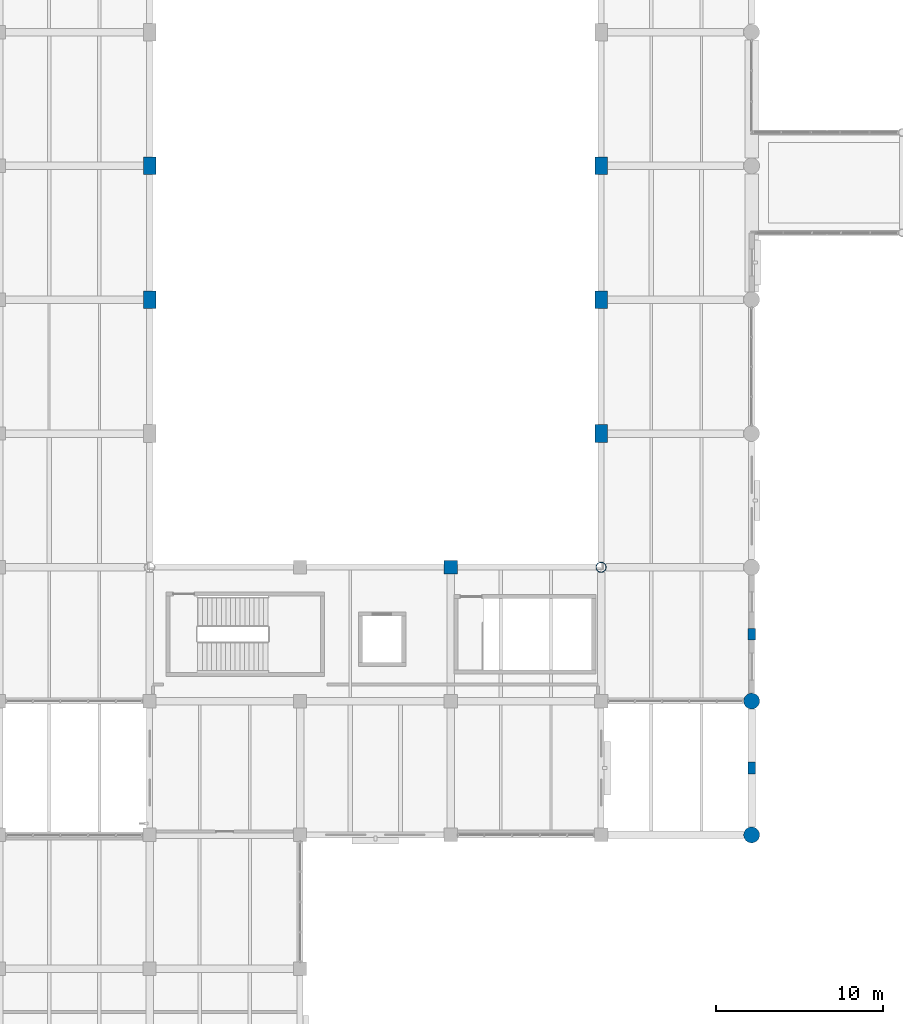
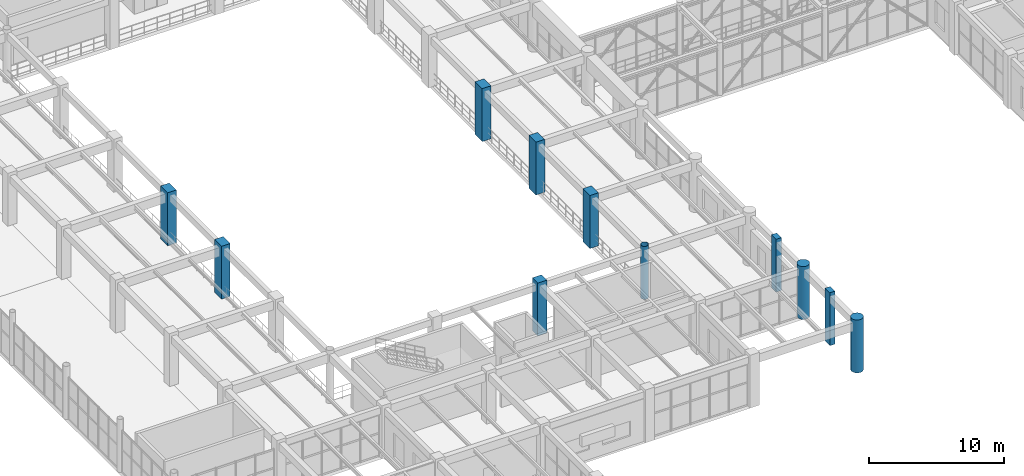
# One storey, part 4 of 178: 11 columns.
"""IFC4 building model written with IfcOpenShell, lengths in metres."""

from ifc_helpers import new_model, si_unit, derived_unit, direction, frame, origin, origin_2d, place, context, subcontext, project, spatial, rectangle, circle, hollow_circle, extrude, material, material_profile, profile_set, type_object, element, save


model = new_model("IFC4")

# Units and contexts
model_context = context("Model", 3, precision=1e-05, world=origin(), true_north=direction((0.0, 1.0)))
body_context = subcontext(model_context, "Body", "Model", "MODEL_VIEW")
ifc_project = project(units=[si_unit("LENGTHUNIT", "METRE"), si_unit("AREAUNIT", "SQUARE_METRE"), si_unit("VOLUMEUNIT", "CUBIC_METRE"), si_unit("PLANEANGLEUNIT", "RADIAN"), si_unit("MASSUNIT", "GRAM", prefix="KILO"), derived_unit("THERMALTRANSMITTANCEUNIT", [(si_unit("MASSUNIT", "GRAM", prefix="KILO"), 1), (si_unit("TIMEUNIT", "SECOND"), -3), (si_unit("THERMODYNAMICTEMPERATUREUNIT", "KELVIN"), -1)])], contexts=[model_context])

# Site, building, storey
site_placement = place(None, origin())
site = spatial("IfcSite", under=ifc_project, at=site_placement, CompositionType="ELEMENT")
building_placement = place(site_placement, origin())
building = spatial("IfcBuilding", under=site, at=building_placement, Name="Zhenchuan Archway Interchange", CompositionType="ELEMENT")
storey_placement = place(building_placement, frame((0.0, 0.0, 5.39990234375)))
storey = spatial("IfcBuildingStorey", under=building, at=storey_placement, Name="L01", CompositionType="ELEMENT", Elevation=5.39990234375)

# Columns
ifc_material_1 = material(Name="Concrete C50", Category="concrete")
ifc_material_profile_1 = material_profile(ifc_material_1, rectangle(XDim=0.75, YDim=1.050048828125, at=origin_2d()), Name="RC 750x1050")
ifc_profile_set_1 = profile_set([ifc_material_profile_1], Name="Concrete C50")
column_type_1 = type_object("IfcColumnType", Name="COL_RC_750x1050", PredefinedType="COLUMN", material=ifc_profile_set_1)
for number, where, z_axis, x_axis, name in (
    (1, (36.0, 48.0, 0.0), (0.0, 0.0, 1.0), (1.0, 0.0, 0.0), "Column 5/G (L01)"),
    (2, (36.0, 56.0, 0.0), (0.0, 0.0, 1.0), (1.0, 0.0, 0.0), "Column 5/H (L01)"),
    (3, (63.0, 40.0, 0.0), (0.0, 0.0, 1.0), (1.0, 0.0, 0.0), "Column 8/F (L01)"),
    (4, (63.0, 48.0, 0.0), (0.0, 0.0, 1.0), (1.0, 0.0, 0.0), "Column 8/G (L01)"),
    (5, (63.0, 56.0, 0.0), (0.0, 0.0, 1.0), (1.0, 0.0, 0.0), "Column 8/H (L01)"),
):
    element("IfcColumn", number, at=place(storey_placement, frame(where, z_axis=z_axis, x_axis=x_axis)), inside=storey, type_object=column_type_1, Name=name, PredefinedType="COLUMN", context=body_context, shape_type="SweptSolid", body=[
        extrude(rectangle(XDim=0.75, YDim=1.050048828125, at=origin_2d()), origin(), (0.0, 0.0, 1.0), 4.800048828125),
    ])
ifc_material_2 = material(Name="Concrete C40", Category="concrete")
ifc_material_profile_2 = material_profile(ifc_material_2, rectangle(XDim=0.800048828125, YDim=0.800048828125, at=origin_2d()), Name="RC 800x800")
ifc_profile_set_2 = profile_set([ifc_material_profile_2], Name="Concrete C40")
column_type_2 = type_object("IfcColumnType", Name="COL_RC_800", PredefinedType="COLUMN", material=ifc_profile_set_2)
column_1_placement = place(storey_placement, frame((54.0, 32.0, 0.0), z_axis=(0.0, 0.0, 1.0), x_axis=(1.0, 0.0, 0.0)))
element("IfcColumn", 6, at=column_1_placement, inside=storey, type_object=column_type_2, Name="Column 7/E (L01)", PredefinedType="COLUMN", context=body_context, shape_type="SweptSolid", body=[
    extrude(rectangle(XDim=0.800048828125, YDim=0.800048828125, at=origin_2d()), origin(), (0.0, 0.0, 1.0), 4.800048828125),
])
ifc_material_profile_3 = material_profile(ifc_material_1, circle(Radius=0.47509765625, at=origin_2d()), Name="RC D950")
ifc_profile_set_3 = profile_set([ifc_material_profile_3], Name="Concrete C50")
column_type_3 = type_object("IfcColumnType", Name="COL_RC_D950", PredefinedType="COLUMN", material=ifc_profile_set_3)
for number, where, z_axis, x_axis, name in (
    (7, (72.0, 16.0, 0.0), (0.0, 0.0, 1.0), (1.0, 0.0, 0.0), "Column 9/C (L01)"),
    (8, (72.0, 24.0, 0.0), (0.0, 0.0, 1.0), (1.0, 0.0, 0.0), "Column 9/D (L01)"),
):
    element("IfcColumn", number, at=place(storey_placement, frame(where, z_axis=z_axis, x_axis=x_axis)), inside=storey, type_object=column_type_3, Name=name, PredefinedType="COLUMN", context=body_context, shape_type="SweptSolid", body=[
        extrude(circle(Radius=0.47509765625, at=origin_2d()), origin(), (0.0, 0.0, 1.0), 4.800048828125),
    ])
ifc_material_3 = material(Name="Steel Q390", Category="steel")
ifc_material_profile_4 = material_profile(ifc_material_3, hollow_circle(Radius=0.304931640625, WallThickness=0.02001953125, at=origin_2d()), Name="CHS 610x20")
ifc_profile_set_4 = profile_set([ifc_material_profile_4], Name="Steel Q390")
column_type_4 = type_object("IfcColumnType", Name="COL_STL_CHS610", PredefinedType="COLUMN", material=ifc_profile_set_4)
column_2_placement = place(storey_placement, frame((63.0, 32.0, 0.0), z_axis=(0.0, 0.0, 1.0), x_axis=(1.0, 0.0, 0.0)))
element("IfcColumn", 9, at=column_2_placement, inside=storey, type_object=column_type_4, Name="Column 8/E (L01)", PredefinedType="COLUMN", context=body_context, shape_type="SweptSolid", body=[
    extrude(hollow_circle(Radius=0.304931640625, WallThickness=0.02001953125, at=origin_2d()), origin(), (0.0, 0.0, 1.0), 4.800048828125),
])
ifc_material_profile_5 = material_profile(ifc_material_2, rectangle(XDim=0.449951171875, YDim=0.699951171875, at=origin_2d()), Name="RC 450x700")
ifc_profile_set_5 = profile_set([ifc_material_profile_5], Name="Concrete C40")
column_type_5 = type_object("IfcColumnType", Name="PIL_PASSAGE_450x700", PredefinedType="PILASTER", material=ifc_profile_set_5)
for number, where, z_axis, x_axis, name in (
    (10, (72.0, 20.0, 0.0), (0.0, 0.0, 1.0), (1.0, 0.0, 0.0), "Colonnade pilaster PAS-W1 (L01)"),
    (11, (72.0, 28.0, 0.0), (0.0, 0.0, 1.0), (1.0, 0.0, 0.0), "Colonnade pilaster PAS-W2 (L01)"),
):
    element("IfcColumn", number, at=place(storey_placement, frame(where, z_axis=z_axis, x_axis=x_axis)), inside=storey, type_object=column_type_5, Name=name, PredefinedType="PILASTER", context=body_context, shape_type="SweptSolid", body=[
        extrude(rectangle(XDim=0.449951171875, YDim=0.699951171875, at=origin_2d()), origin(), (0.0, 0.0, 1.0), 4.800048828125),
    ])

save(model, "model.ifc")
